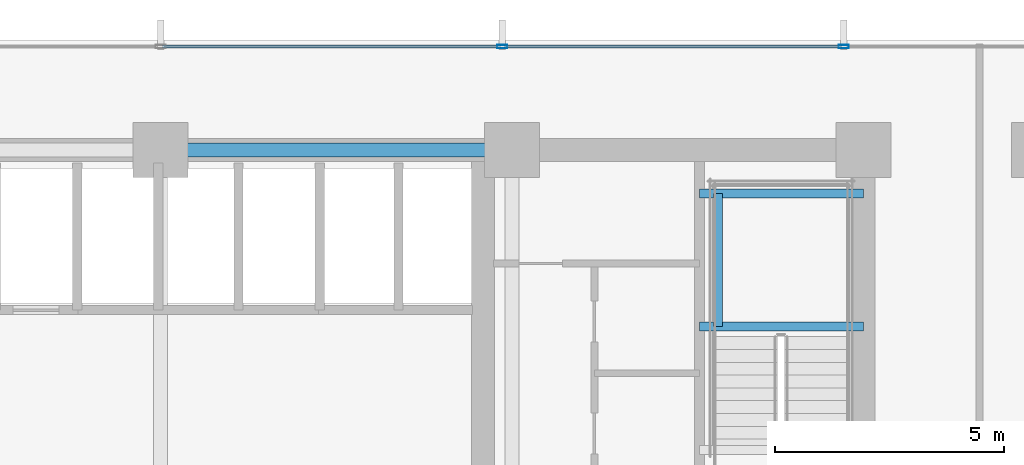
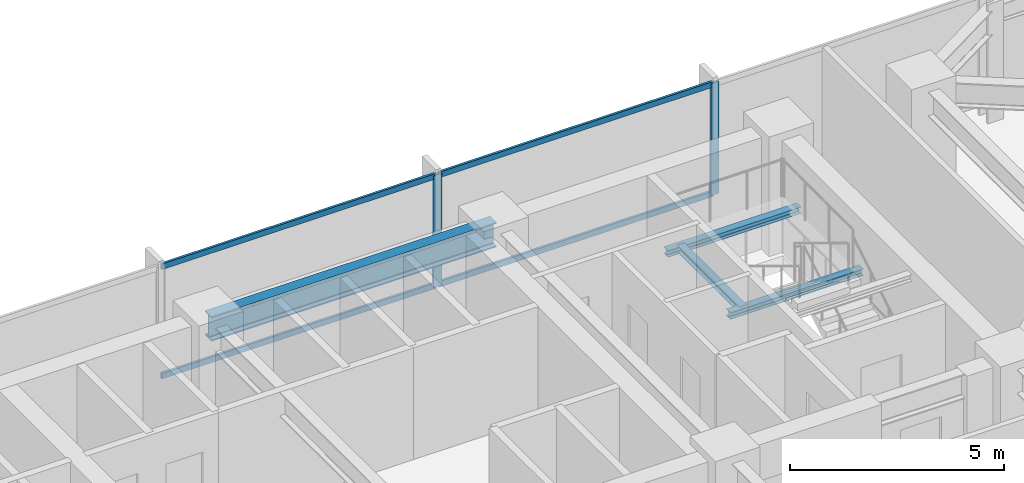
# One storey, part 18 of 31: 6 members, 4 beams, 1 element without a shape of its own.
"""IFC4 building model written with IfcOpenShell, lengths in metres."""

from ifc_helpers import new_model, si_unit, direction, frame, origin, origin_2d, place, context, subcontext, project, spatial, hollow_rectangle, i_section, extrude, material, material_profile, profile_set, type_object, element, aggregate, save


model = new_model("IFC4")

# Units and contexts
model_context = context("Model", 3, precision=1e-05, world=origin(), true_north=direction((0.0, 1.0)))
body_context = subcontext(model_context, "Body", "Model", "MODEL_VIEW")
ifc_project = project(units=[si_unit("LENGTHUNIT", "METRE"), si_unit("AREAUNIT", "SQUARE_METRE"), si_unit("VOLUMEUNIT", "CUBIC_METRE"), si_unit("PLANEANGLEUNIT", "RADIAN"), si_unit("MASSUNIT", "GRAM", prefix="KILO")], contexts=[model_context])

# Site, building, storey
site_placement = place(None, origin())
site = spatial("IfcSite", under=ifc_project, at=site_placement, CompositionType="ELEMENT")
building_placement = place(site_placement, origin())
building = spatial("IfcBuilding", under=site, at=building_placement, Name="Yelkora Congress Tower", CompositionType="ELEMENT")
storey_placement = place(building_placement, frame((0.0, 0.0, 30.39990234375)))
storey = spatial("IfcBuildingStorey", under=building, at=storey_placement, Name="L06", CompositionType="ELEMENT", Elevation=30.39990234375)

# Beams
ifc_material_1 = material(Name="Steel S355J2", Category="steel")
ifc_material_profile_1 = material_profile(ifc_material_1, i_section(OverallWidth=0.300048828125, OverallDepth=0.699951171875, WebThickness=0.01708984375, FlangeThickness=0.031982421875, FilletRadius=0.027099609375, at=origin_2d()), Name="HEB 700")
ifc_profile_set_1 = profile_set([ifc_material_profile_1], Name="Steel S355J2")
beam_type_1 = type_object("IfcBeamType", Name="BM-GIRD-HEB700", PredefinedType="BEAM", material=ifc_profile_set_1)
beam_1_placement = place(storey_placement, frame((38.39990234375, 46.199951171875, 2.830078125), z_axis=(1.0, 0.0, 0.0), x_axis=(0.0, 1.0, 0.0)))
element("IfcBeam", 1, at=beam_1_placement, inside=storey, type_object=beam_type_1, Name="L06 Core North Girder 4", PredefinedType="BEAM", context=body_context, shape_type="SweptSolid", body=[
    extrude(i_section(OverallWidth=0.300048828125, OverallDepth=0.699951171875, WebThickness=0.01708984375, FlangeThickness=0.031982421875, FilletRadius=0.027099609375, at=origin_2d()), origin(), (0.0, 0.0, 1.0), 7.68017578125),
])
ifc_material_profile_2 = material_profile(ifc_material_1, i_section(OverallWidth=0.199951171875, OverallDepth=0.18994140625, WebThickness=0.006591796875, FlangeThickness=0.010009765625, FilletRadius=0.01806640625, at=origin_2d()), Name="HEA 200")
ifc_profile_set_2 = profile_set([ifc_material_profile_2], Name="Steel S355J2")
beam_type_2 = type_object("IfcBeamType", Name="BM-LAND-HEA200", PredefinedType="BEAM", material=ifc_profile_set_2)
for number, where, z_axis, x_axis, name in (
    (2, (50.179931640625, 42.340087890625, 1.384765625), (1.0, 0.0, 0.0), (0.0, 1.0, 0.0), "ST-02 L06 Landing Header Beam 1S"),
    (3, (50.179931640625, 45.25, 1.384765625), (1.0, 0.0, 0.0), (0.0, 1.0, 0.0), "ST-02 L06 Landing Header Beam 1N"),
):
    element("IfcBeam", number, at=place(storey_placement, frame(where, z_axis=z_axis, x_axis=x_axis)), inside=storey, type_object=beam_type_2, Name=name, PredefinedType="BEAM", context=body_context, shape_type="SweptSolid", body=[
        extrude(i_section(OverallWidth=0.199951171875, OverallDepth=0.18994140625, WebThickness=0.006591796875, FlangeThickness=0.010009765625, FilletRadius=0.01806640625, at=origin_2d()), origin(), (0.0, 0.0, 1.0), 3.580078125),
    ])
beam_2_placement = place(storey_placement, frame((50.580078125, 42.340087890625, 1.384765625), z_axis=(0.0, 1.0, 0.0), x_axis=(-1.0, 0.0, 0.0)))
element("IfcBeam", 4, at=beam_2_placement, inside=storey, type_object=beam_type_2, Name="ST-02 L06 Landing Trimmer Beam 1M", PredefinedType="BEAM", context=body_context, shape_type="SweptSolid", body=[
    extrude(i_section(OverallWidth=0.199951171875, OverallDepth=0.18994140625, WebThickness=0.006591796875, FlangeThickness=0.010009765625, FilletRadius=0.01806640625, at=origin_2d()), origin(), (0.0, 0.0, 1.0), 2.909912109375),
])

# Curtain wall, members
ifc_material_2 = material(Name="Anodised aluminium and insulated glass", Category="aluminium")
curtain_wall_type = type_object("IfcCurtainWallType", Name="CW-SYS-B1", PredefinedType="NOTDEFINED", material=ifc_material_2)
curtain_wall_placement = place(storey_placement, origin())
curtain_wall = element("IfcCurtainWall", 5, at=curtain_wall_placement, inside=storey, type_object=curtain_wall_type, Name="L06 Unitised Curtain Wall 10", PredefinedType="NOTDEFINED")
ifc_material_3 = material(Name="Anodised aluminium 6063-T6", Category="aluminium")
ifc_material_profile_3 = material_profile(ifc_material_3, hollow_rectangle(XDim=0.074951171875, YDim=0.219970703125, WallThickness=0.0048828125, at=origin_2d()), Name="ALU 75x220x5")
ifc_profile_set_3 = profile_set([ifc_material_profile_3], Name="Anodised aluminium 6063-T6")
member_type_1 = type_object("IfcMemberType", Name="MEM-ML-B1", PredefinedType="MULLION", material=ifc_profile_set_3)
member_1_placement = place(storey_placement, frame((45.864990234375, 48.4599609375, 0.0), z_axis=(0.0, 0.0, 1.0), x_axis=(0.0, 1.0, 0.0)))
member_1 = element("IfcMember", 6, at=member_1_placement, type_object=member_type_1, Name="CW-B1 mullion 6", PredefinedType="MULLION", context=body_context, shape_type="SweptSolid", body=[
    extrude(hollow_rectangle(XDim=0.074951171875, YDim=0.219970703125, WallThickness=0.0048828125, at=origin_2d()), origin(), (0.0, 0.0, 1.0), 3.18017578125),
])
member_2_placement = place(storey_placement, frame((53.330078125, 48.4599609375, 0.0), z_axis=(0.0, 0.0, 1.0), x_axis=(0.0, 1.0, 0.0)))
member_2 = element("IfcMember", 7, at=member_2_placement, type_object=member_type_1, Name="CW-B1 mullion 7", PredefinedType="MULLION", context=body_context, shape_type="SweptSolid", body=[
    extrude(hollow_rectangle(XDim=0.074951171875, YDim=0.219970703125, WallThickness=0.0048828125, at=origin_2d()), origin(), (0.0, 0.0, 1.0), 3.18017578125),
])
ifc_material_profile_4 = material_profile(ifc_material_3, hollow_rectangle(XDim=0.06494140625, YDim=0.159912109375, WallThickness=0.00390625, at=origin_2d()), Name="ALU 65x160x4")
ifc_profile_set_4 = profile_set([ifc_material_profile_4], Name="Anodised aluminium 6063-T6")
member_type_2 = type_object("IfcMemberType", Name="MEM-TR-B1", PredefinedType="USERDEFINED", material=ifc_profile_set_4)
member_3_placement = place(storey_placement, frame((38.4375, 48.4599609375, 0.03271484375), z_axis=(1.0, 0.0, 0.0), x_axis=(0.0, 1.0, 0.0)))
member_3 = element("IfcMember", 8, at=member_3_placement, type_object=member_type_2, Name="CW-B1 transom 5.1", ObjectType="TRANSOM", PredefinedType="USERDEFINED", context=body_context, shape_type="SweptSolid", body=[
    extrude(hollow_rectangle(XDim=0.06494140625, YDim=0.159912109375, WallThickness=0.00390625, at=origin_2d()), origin(), (0.0, 0.0, 1.0), 7.389892578125),
])
member_4_placement = place(storey_placement, frame((38.4375, 48.4599609375, 3.147705078125), z_axis=(1.0, 0.0, 0.0), x_axis=(0.0, 1.0, 0.0)))
member_4 = element("IfcMember", 9, at=member_4_placement, type_object=member_type_2, Name="CW-B1 transom 5.2", ObjectType="TRANSOM", PredefinedType="USERDEFINED", context=body_context, shape_type="SweptSolid", body=[
    extrude(hollow_rectangle(XDim=0.06494140625, YDim=0.159912109375, WallThickness=0.00390625, at=origin_2d()), origin(), (0.0, 0.0, 1.0), 7.389892578125),
])
member_5_placement = place(storey_placement, frame((45.902587890625, 48.4599609375, 0.03271484375), z_axis=(1.0, 0.0, 0.0), x_axis=(0.0, 1.0, 0.0)))
member_5 = element("IfcMember", 10, at=member_5_placement, type_object=member_type_2, Name="CW-B1 transom 6.1", ObjectType="TRANSOM", PredefinedType="USERDEFINED", context=body_context, shape_type="SweptSolid", body=[
    extrude(hollow_rectangle(XDim=0.06494140625, YDim=0.159912109375, WallThickness=0.00390625, at=origin_2d()), origin(), (0.0, 0.0, 1.0), 7.389892578125),
])
member_6_placement = place(storey_placement, frame((45.902587890625, 48.4599609375, 3.147705078125), z_axis=(1.0, 0.0, 0.0), x_axis=(0.0, 1.0, 0.0)))
member_6 = element("IfcMember", 11, at=member_6_placement, type_object=member_type_2, Name="CW-B1 transom 6.2", ObjectType="TRANSOM", PredefinedType="USERDEFINED", context=body_context, shape_type="SweptSolid", body=[
    extrude(hollow_rectangle(XDim=0.06494140625, YDim=0.159912109375, WallThickness=0.00390625, at=origin_2d()), origin(), (0.0, 0.0, 1.0), 7.389892578125),
])
aggregate(curtain_wall, [member_1, member_2, member_3, member_4, member_5, member_6])

save(model, "model.ifc")
